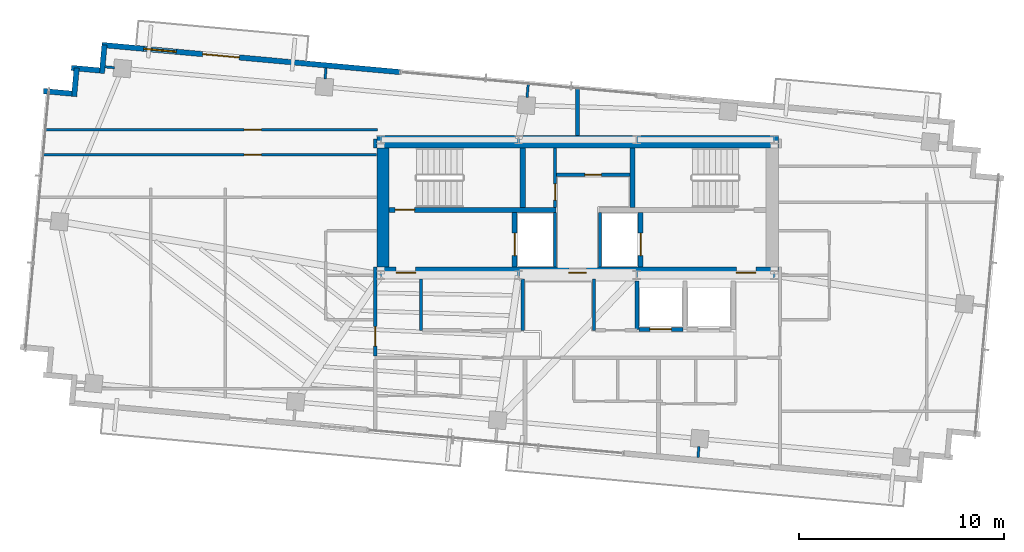
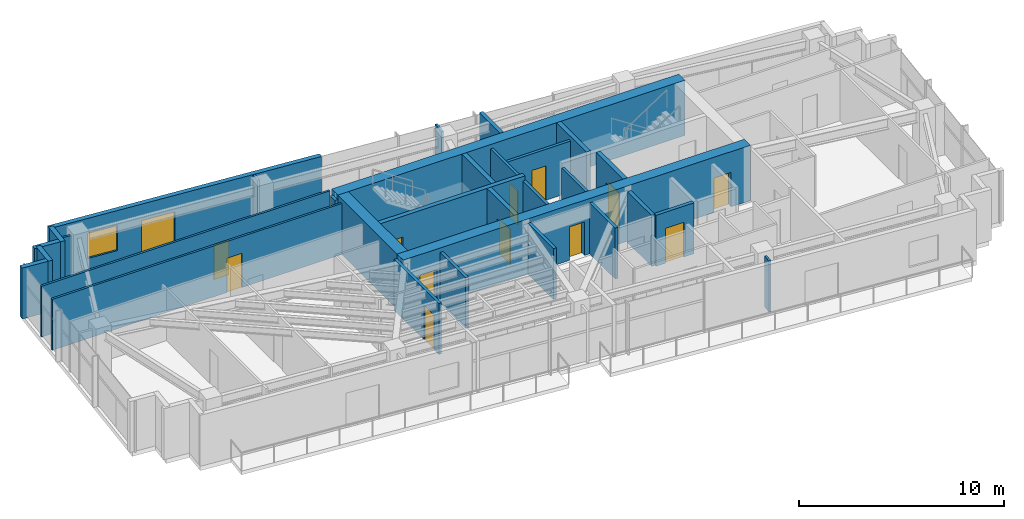
# One storey, part 17 of 22: 31 walls, 13 doors, 1 window, 14 openings.
"""IFC4 building model written with IfcOpenShell, lengths in metres."""

from ifc_helpers import new_model, si_unit, direction, frame, frame_2d, origin, place, context, subcontext, project, spatial, rectangle, extrude, source, transform, mapped, material, layer, layer_set, type_object, type_shapes, element, fill, save


model = new_model("IFC4")

# Units and contexts
model_context = context("Model", 3, precision=1e-05, world=origin(), true_north=direction((0.0, 1.0)))
body_context = subcontext(model_context, "Body", "Model", "MODEL_VIEW")
ifc_project = project(units=[si_unit("LENGTHUNIT", "METRE"), si_unit("AREAUNIT", "SQUARE_METRE"), si_unit("VOLUMEUNIT", "CUBIC_METRE"), si_unit("PLANEANGLEUNIT", "RADIAN"), si_unit("MASSUNIT", "GRAM", prefix="KILO")], contexts=[model_context])

# Site, building, storey
site_placement = place(None, origin())
site = spatial("IfcSite", under=ifc_project, at=site_placement, CompositionType="ELEMENT")
building_placement = place(site_placement, origin())
building = spatial("IfcBuilding", under=site, at=building_placement, Name="Astriad Promenade Condominiums", CompositionType="ELEMENT")
storey_placement = place(building_placement, frame((0.0, 0.0, 239.699951171875)))
storey = spatial("IfcBuildingStorey", under=building, at=storey_placement, Name="L69", CompositionType="ELEMENT", Elevation=239.699951171875)

# Wall, openings, doors
ifc_material_1 = material(Name="Concrete C50/60", Category="concrete")
ifc_layer_1 = layer(ifc_material_1, 0.60009765625)
ifc_layer_set_1 = layer_set([ifc_layer_1], Name="Concrete C50/60")
wall_type_1 = type_object("IfcWallType", Name="CW-SHEAR-600", PredefinedType="SHEAR", material=ifc_layer_set_1)
wall_1_placement = place(storey_placement, frame((26.199951171875, 17.5, 0.0), z_axis=(0.0, 0.0, 1.0), x_axis=(1.0, 0.0, 0.0)))
wall_1 = element("IfcWall", 1, at=wall_1_placement, inside=storey, type_object=wall_type_1, Name="CW-CORE-S-L69", PredefinedType="SHEAR", context=body_context, shape_type="SweptSolid", body=[
    extrude(rectangle(XDim=19.60009765625, YDim=0.60009765625, at=frame_2d((9.800048828125, 0.0))), origin(), (0.0, 0.0, 1.0), 3.300048828125),
])
opening_1_placement = place(wall_1_placement, frame((0.949951171875, 0.0, 0.0)))
opening_1 = element("IfcOpeningElement", 2, at=opening_1_placement, cuts=wall_1, Name="Opening FD90-ST-095", PredefinedType="OPENING", context=body_context, shape_type="SweptSolid", body=[
    extrude(rectangle(XDim=0.949951171875, YDim=2.06005859375, at=frame_2d((0.47509765625, 1.030029296875))), frame((0.0, 0.31005859375, 0.0), z_axis=(0.0, -1.0, 0.0), x_axis=(1.0, 0.0, 0.0)), (0.0, 0.0, 1.0), 0.6201171875),
])
opening_2_placement = place(wall_1_placement, frame((9.3798828125, 0.0, 0.0)))
opening_2 = element("IfcOpeningElement", 3, at=opening_2_placement, cuts=wall_1, Name="Opening FD60-ULOW-085", PredefinedType="OPENING", context=body_context, shape_type="SweptSolid", body=[
    extrude(rectangle(XDim=0.85009765625, YDim=2.0, at=frame_2d((0.425048828125, 1.0))), frame((0.0, 0.31005859375, 0.0), z_axis=(0.0, -1.0, 0.0), x_axis=(1.0, 0.0, 0.0)), (0.0, 0.0, 1.0), 0.6201171875),
])
opening_3_placement = place(wall_1_placement, frame((17.550048828125, 0.0, 0.0)))
opening_3 = element("IfcOpeningElement", 4, at=opening_3_placement, cuts=wall_1, Name="Opening FD90-ST-095", PredefinedType="OPENING", context=body_context, shape_type="SweptSolid", body=[
    extrude(rectangle(XDim=0.949951171875, YDim=2.06005859375, at=frame_2d((0.47509765625, 1.030029296875))), frame((0.0, 0.31005859375, 0.0), z_axis=(0.0, -1.0, 0.0), x_axis=(1.0, 0.0, 0.0)), (0.0, 0.0, 1.0), 0.6201171875),
])
ifc_material_2 = material(Name="Fire-Rated Hollow Metal Stair Door")
door_type_1 = type_object("IfcDoorType", Name="FD90-ST-095", OperationType="NOTDEFINED", PredefinedType="DOOR", material=ifc_material_2)
shared_shape_1 = source(origin(), body_context, "Body", "SweptSolid", [
    extrude(rectangle(XDim=0.949951171875, YDim=2.06005859375, at=frame_2d((0.47509765625, 1.030029296875))), frame((0.0, 0.02490234375, 0.0), z_axis=(0.0, -1.0, 0.0), x_axis=(1.0, 0.0, 0.0)), (0.0, 0.0, 1.0), 0.050048828125),
])
type_shapes(door_type_1, [shared_shape_1])
door_1_placement = place(opening_1_placement, origin())
door_1 = element("IfcDoor", 5, at=door_1_placement, inside=storey, type_object=door_type_1, Name="D-FFW-L69", OperationType="SINGLE_SWING_LEFT", OverallHeight=2.06005859375, OverallWidth=0.949951171875, PredefinedType="DOOR", context=body_context, shape_type="MappedRepresentation", body=[
    mapped(shared_shape_1, transform((0.0, 0.0, 0.0), scale=1.0)),
])
fill(opening_1, door_1)
door_2_placement = place(opening_3_placement, origin())
door_2 = element("IfcDoor", 6, at=door_2_placement, inside=storey, type_object=door_type_1, Name="D-FFE-L69", OperationType="SINGLE_SWING_RIGHT", OverallHeight=2.06005859375, OverallWidth=0.949951171875, PredefinedType="DOOR", context=body_context, shape_type="MappedRepresentation", body=[
    mapped(shared_shape_1, transform((0.0, 0.0, 0.0), scale=1.0)),
])
fill(opening_3, door_2)
ifc_material_3 = material(Name="Solid-Core Low-Headroom Fire Door")
door_type_2 = type_object("IfcDoorType", Name="FD60-ULOW-085", OperationType="NOTDEFINED", PredefinedType="DOOR", material=ifc_material_3)
shared_shape_2 = source(origin(), body_context, "Body", "SweptSolid", [
    extrude(rectangle(XDim=0.85009765625, YDim=2.0, at=frame_2d((0.425048828125, 1.0))), frame((0.0, 0.02490234375, 0.0), z_axis=(0.0, -1.0, 0.0), x_axis=(1.0, 0.0, 0.0)), (0.0, 0.0, 1.0), 0.050048828125),
])
type_shapes(door_type_2, [shared_shape_2])
door_3_placement = place(opening_2_placement, origin())
door_3 = element("IfcDoor", 7, at=door_3_placement, inside=storey, type_object=door_type_2, Name="D-CSL-L69", OperationType="SINGLE_SWING_RIGHT", OverallHeight=2.0, OverallWidth=0.85009765625, PredefinedType="DOOR", context=body_context, shape_type="MappedRepresentation", body=[
    mapped(shared_shape_2, transform((0.0, 0.0, 0.0), scale=1.0)),
])
fill(opening_2, door_3)

# Walls
wall_2_placement = place(storey_placement, frame((26.199951171875, 23.89990234375, 0.0), z_axis=(0.0, 0.0, 1.0), x_axis=(1.0, 0.0, 0.0)))
element("IfcWall", 8, at=wall_2_placement, inside=storey, type_object=wall_type_1, Name="CW-CORE-N-L69", PredefinedType="SHEAR", context=body_context, shape_type="SweptSolid", body=[
    extrude(rectangle(XDim=19.60009765625, YDim=0.60009765625, at=frame_2d((9.800048828125, 0.0))), origin(), (0.0, 0.0, 1.0), 3.300048828125),
])
wall_3_placement = place(storey_placement, frame((26.5, 17.802001953125, 0.0), z_axis=(0.0, 0.0, 1.0), x_axis=(0.0, 1.0, 0.0)))
element("IfcWall", 9, at=wall_3_placement, inside=storey, type_object=wall_type_1, Name="CW-CORE-W-L69", PredefinedType="SHEAR", context=body_context, shape_type="SweptSolid", body=[
    extrude(rectangle(XDim=5.7958984375, YDim=0.60009765625, at=frame_2d((2.89794921875, 0.0))), origin(), (0.0, 0.0, 1.0), 3.300048828125),
])

# Wall, opening, door
ifc_layer_2 = layer(ifc_material_1, 0.25)
ifc_layer_set_2 = layer_set([ifc_layer_2], Name="Concrete C50/60")
wall_type_2 = type_object("IfcWallType", Name="WALL-CORE-INT-250", PredefinedType="SOLIDWALL", material=ifc_layer_set_2)
wall_4_placement = place(storey_placement, frame((26.802001953125, 20.574951171875, 0.0), z_axis=(0.0, 0.0, 1.0), x_axis=(1.0, 0.0, 0.0)))
wall_4 = element("IfcWall", 10, at=wall_4_placement, inside=storey, type_object=wall_type_2, Name="CW-INT-H1-L69", PredefinedType="SOLIDWALL", context=body_context, shape_type="SweptSolid", body=[
    extrude(rectangle(XDim=8.14794921875, YDim=0.25, at=frame_2d((4.073974609375, 0.0))), origin(), (0.0, 0.0, 1.0), 3.300048828125),
])
opening_4_placement = place(wall_4_placement, frame((0.298095703125, 0.0, 0.0)))
opening_4 = element("IfcOpeningElement", 11, at=opening_4_placement, cuts=wall_4, Name="Opening FD90-ST-095", PredefinedType="OPENING", context=body_context, shape_type="SweptSolid", body=[
    extrude(rectangle(XDim=0.949951171875, YDim=2.06005859375, at=frame_2d((0.47509765625, 1.030029296875))), frame((0.0, 0.135009765625, 0.0), z_axis=(0.0, -1.0, 0.0), x_axis=(1.0, 0.0, 0.0)), (0.0, 0.0, 1.0), 0.27001953125),
])
door_4_placement = place(opening_4_placement, origin())
door_4 = element("IfcDoor", 12, at=door_4_placement, inside=storey, type_object=door_type_1, Name="D-ST1-L69", OperationType="SINGLE_SWING_LEFT", OverallHeight=2.06005859375, OverallWidth=0.949951171875, PredefinedType="DOOR", context=body_context, shape_type="MappedRepresentation", body=[
    mapped(shared_shape_1, transform((0.0, 0.0, 0.0), scale=1.0)),
])
fill(opening_4, door_4)

# Walls
for number, where, z_axis, x_axis, name in (
    (13, (33.324951171875, 20.701904296875, 0.0), (0.0, 0.0, 1.0), (0.0, 1.0, 0.0), "CW-ST1-E-L69"),
    (14, (38.675048828125, 20.701904296875, 0.0), (0.0, 0.0, 1.0), (0.0, 1.0, 0.0), "CW-ST2-W-L69"),
):
    element("IfcWall", number, at=place(storey_placement, frame(where, z_axis=z_axis, x_axis=x_axis)), inside=storey, type_object=wall_type_2, Name=name, PredefinedType="SOLIDWALL", context=body_context, shape_type="SweptSolid", body=[
        extrude(rectangle(XDim=2.89599609375, YDim=0.25, at=frame_2d((1.447998046875, 0.0))), origin(), (0.0, 0.0, 1.0), 3.300048828125),
    ])

# Wall, opening, door
wall_5_placement = place(storey_placement, frame((32.925048828125, 17.802001953125, 0.0), z_axis=(0.0, 0.0, 1.0), x_axis=(0.0, 1.0, 0.0)))
wall_5 = element("IfcWall", 15, at=wall_5_placement, inside=storey, type_object=wall_type_2, Name="CW-FFL1-W-L69", PredefinedType="SOLIDWALL", context=body_context, shape_type="SweptSolid", body=[
    extrude(rectangle(XDim=2.64599609375, YDim=0.25, at=frame_2d((1.322998046875, 0.0))), origin(), (0.0, 0.0, 1.0), 3.300048828125),
])
opening_5_placement = place(wall_5_placement, frame((0.548095703125, 0.0, 0.0)))
opening_5 = element("IfcOpeningElement", 16, at=opening_5_placement, cuts=wall_5, Name="Opening LD-FFL-1122", PredefinedType="OPENING", context=body_context, shape_type="SweptSolid", body=[
    extrude(rectangle(XDim=1.10009765625, YDim=2.080078125, at=frame_2d((0.550048828125, 1.0400390625))), frame((0.0, 0.135009765625, 0.0), z_axis=(0.0, -1.0, 0.0), x_axis=(1.0, 0.0, 0.0)), (0.0, 0.0, 1.0), 0.27001953125),
])
ifc_material_4 = material(Name="Brushed Stainless Steel Fire Elevator Landing Door", Category="steel")
door_type_3 = type_object("IfcDoorType", Name="LD-FFL-1122", OperationType="NOTDEFINED", PredefinedType="DOOR", material=ifc_material_4)
shared_shape_3 = source(origin(), body_context, "Body", "SweptSolid", [
    extrude(rectangle(XDim=1.10009765625, YDim=2.080078125, at=frame_2d((0.550048828125, 1.0400390625))), frame((0.0, 0.02490234375, 0.0), z_axis=(0.0, -1.0, 0.0), x_axis=(1.0, 0.0, 0.0)), (0.0, 0.0, 1.0), 0.050048828125),
])
type_shapes(door_type_3, [shared_shape_3])
door_5_placement = place(opening_5_placement, origin())
door_5 = element("IfcDoor", 17, at=door_5_placement, inside=storey, type_object=door_type_3, Name="Elevator Landing Door FFL-1 (L69)", OperationType="SLIDING_TO_LEFT", OverallHeight=2.080078125, OverallWidth=1.10009765625, PredefinedType="DOOR", context=body_context, shape_type="MappedRepresentation", body=[
    mapped(shared_shape_3, transform((0.0, 0.0, 0.0), scale=1.0)),
])
fill(opening_5, door_5)

wall_6_placement = place(storey_placement, frame((39.074951171875, 17.802001953125, 0.0), z_axis=(0.0, 0.0, 1.0), x_axis=(0.0, 1.0, 0.0)))
wall_6 = element("IfcWall", 18, at=wall_6_placement, inside=storey, type_object=wall_type_2, Name="CW-FFL2-E-L69", PredefinedType="SOLIDWALL", context=body_context, shape_type="SweptSolid", body=[
    extrude(rectangle(XDim=2.64599609375, YDim=0.25, at=frame_2d((1.322998046875, 0.0))), origin(), (0.0, 0.0, 1.0), 3.300048828125),
])
opening_6_placement = place(wall_6_placement, frame((0.548095703125, 0.0, 0.0)))
opening_6 = element("IfcOpeningElement", 19, at=opening_6_placement, cuts=wall_6, Name="Opening LD-FFL-1122", PredefinedType="OPENING", context=body_context, shape_type="SweptSolid", body=[
    extrude(rectangle(XDim=1.10009765625, YDim=2.080078125, at=frame_2d((0.550048828125, 1.0400390625))), frame((0.0, 0.135009765625, 0.0), z_axis=(0.0, -1.0, 0.0), x_axis=(1.0, 0.0, 0.0)), (0.0, 0.0, 1.0), 0.27001953125),
])
door_6_placement = place(opening_6_placement, origin())
door_6 = element("IfcDoor", 20, at=door_6_placement, inside=storey, type_object=door_type_3, Name="Elevator Landing Door FFL-2 (L69)", OperationType="SLIDING_TO_RIGHT", OverallHeight=2.080078125, OverallWidth=1.10009765625, PredefinedType="DOOR", context=body_context, shape_type="MappedRepresentation", body=[
    mapped(shared_shape_3, transform((0.0, 0.0, 0.0), scale=1.0)),
])
fill(opening_6, door_6)

# Walls
ifc_material_5 = material(Name="Fire-Rated Gypsum Partition")
ifc_layer_3 = layer(ifc_material_5, 0.159912109375)
ifc_layer_set_3 = layer_set([ifc_layer_3], Name="Fire-Rated Gypsum Partition")
wall_type_3 = type_object("IfcWallType", Name="WALL-CORR-160", PredefinedType="PARTITIONING", material=ifc_layer_set_3)
for number, where, z_axis, x_axis, name in (
    (21, (34.89990234375, 17.802001953125, 0.0), (0.0, 0.0, 1.0), (0.0, 1.0, 0.0), "CW-FFL1-E-L69"),
    (22, (37.10009765625, 17.802001953125, 0.0), (0.0, 0.0, 1.0), (0.0, 1.0, 0.0), "CW-FFL2-W-L69"),
):
    element("IfcWall", number, at=place(storey_placement, frame(where, z_axis=z_axis, x_axis=x_axis)), inside=storey, type_object=wall_type_3, Name=name, PredefinedType="PARTITIONING", context=body_context, shape_type="SweptSolid", body=[
        extrude(rectangle(XDim=2.64599609375, YDim=0.159912109375, at=frame_2d((1.322998046875, 0.0))), origin(), (0.0, 0.0, 1.0), 3.0400390625),
    ])

# Wall, opening, door
wall_7_placement = place(storey_placement, frame((34.89990234375, 20.701904296875, 0.0), z_axis=(0.0, 0.0, 1.0), x_axis=(0.0, 1.0, 0.0)))
wall_7 = element("IfcWall", 23, at=wall_7_placement, inside=storey, type_object=wall_type_3, Name="CW-AUX-W-L69", PredefinedType="PARTITIONING", context=body_context, shape_type="SweptSolid", body=[
    extrude(rectangle(XDim=2.89599609375, YDim=0.159912109375, at=frame_2d((1.447998046875, 0.0))), origin(), (0.0, 0.0, 1.0), 3.0400390625),
])
opening_7_placement = place(wall_7_placement, frame((0.347900390625, 0.0, 0.0)))
opening_7 = element("IfcOpeningElement", 24, at=opening_7_placement, cuts=wall_7, Name="Opening FD60-SV-080", PredefinedType="OPENING", context=body_context, shape_type="SweptSolid", body=[
    extrude(rectangle(XDim=0.800048828125, YDim=2.050048828125, at=frame_2d((0.39990234375, 1.02490234375))), frame((0.0, 0.08984375, 0.0), z_axis=(0.0, -1.0, 0.0), x_axis=(1.0, 0.0, 0.0)), (0.0, 0.0, 1.0), 0.179931640625),
])
ifc_material_6 = material(Name="Fire-Rated Riser Closet Door")
door_type_4 = type_object("IfcDoorType", Name="FD60-SV-080", OperationType="NOTDEFINED", PredefinedType="DOOR", material=ifc_material_6)
shared_shape_4 = source(origin(), body_context, "Body", "SweptSolid", [
    extrude(rectangle(XDim=0.800048828125, YDim=2.050048828125, at=frame_2d((0.39990234375, 1.02490234375))), frame((0.0, 0.02490234375, 0.0), z_axis=(0.0, -1.0, 0.0), x_axis=(1.0, 0.0, 0.0)), (0.0, 0.0, 1.0), 0.050048828125),
])
type_shapes(door_type_4, [shared_shape_4])
door_7_placement = place(opening_7_placement, origin())
door_7 = element("IfcDoor", 25, at=door_7_placement, inside=storey, type_object=door_type_4, Name="D-AUX1-L69", OperationType="SINGLE_SWING_LEFT", OverallHeight=2.050048828125, OverallWidth=0.800048828125, PredefinedType="DOOR", context=body_context, shape_type="MappedRepresentation", body=[
    mapped(shared_shape_4, transform((0.0, 0.0, 0.0), scale=1.0)),
])
fill(opening_7, door_7)

wall_8_placement = place(storey_placement, frame((34.98193359375, 22.300048828125, 0.0), z_axis=(0.0, 0.0, 1.0), x_axis=(1.0, 0.0, 0.0)))
wall_8 = element("IfcWall", 26, at=wall_8_placement, inside=storey, type_object=wall_type_3, Name="CW-AUX-N-L69", PredefinedType="PARTITIONING", context=body_context, shape_type="SweptSolid", body=[
    extrude(rectangle(XDim=3.566162109375, YDim=0.159912109375, at=frame_2d((1.783203125, 0.0))), origin(), (0.0, 0.0, 1.0), 3.0400390625),
])
opening_8_placement = place(wall_8_placement, frame((1.3779296875, 0.0, 0.0)))
opening_8 = element("IfcOpeningElement", 27, at=opening_8_placement, cuts=wall_8, Name="Opening FD60-SV-080", PredefinedType="OPENING", context=body_context, shape_type="SweptSolid", body=[
    extrude(rectangle(XDim=0.800048828125, YDim=2.050048828125, at=frame_2d((0.39990234375, 1.02490234375))), frame((0.0, 0.08984375, 0.0), z_axis=(0.0, -1.0, 0.0), x_axis=(1.0, 0.0, 0.0)), (0.0, 0.0, 1.0), 0.179931640625),
])
door_8_placement = place(opening_8_placement, origin())
door_8 = element("IfcDoor", 28, at=door_8_placement, inside=storey, type_object=door_type_4, Name="D-AUX2-L69", OperationType="SINGLE_SWING_RIGHT", OverallHeight=2.050048828125, OverallWidth=0.800048828125, PredefinedType="DOOR", context=body_context, shape_type="MappedRepresentation", body=[
    mapped(shared_shape_4, transform((0.0, 0.0, 0.0), scale=1.0)),
])
fill(opening_8, door_8)

wall_9_placement = place(storey_placement, frame((26.1201171875, 13.44189453125, 0.0), z_axis=(0.0, 0.0, 1.0), x_axis=(0.0, 1.0, 0.0)))
wall_9 = element("IfcWall", 29, at=wall_9_placement, inside=storey, type_object=wall_type_3, Name="PT-COR-W-L69-S2", PredefinedType="PARTITIONING", context=body_context, shape_type="SweptSolid", body=[
    extrude(rectangle(XDim=4.360107421875, YDim=0.159912109375, at=frame_2d((2.18017578125, 0.0))), origin(), (0.0, 0.0, 1.0), 3.0400390625),
])
opening_9_placement = place(wall_9_placement, frame((0.492919921875, 0.0, 0.0)))
opening_9 = element("IfcOpeningElement", 30, at=opening_9_placement, cuts=wall_9, Name="Opening FD60-APT-095", PredefinedType="OPENING", context=body_context, shape_type="SweptSolid", body=[
    extrude(rectangle(XDim=0.949951171875, YDim=2.06005859375, at=frame_2d((0.47509765625, 1.030029296875))), frame((0.0, 0.08984375, 0.0), z_axis=(0.0, -1.0, 0.0), x_axis=(1.0, 0.0, 0.0)), (0.0, 0.0, 1.0), 0.179931640625),
])
ifc_material_7 = material(Name="Solid-Core Acoustic Timber Residence Entry Door", Category="wood")
door_type_5 = type_object("IfcDoorType", Name="FD60-APT-095", OperationType="NOTDEFINED", PredefinedType="DOOR", material=ifc_material_7)
shared_shape_5 = source(origin(), body_context, "Body", "SweptSolid", [
    extrude(rectangle(XDim=0.949951171875, YDim=2.06005859375, at=frame_2d((0.47509765625, 1.030029296875))), frame((0.0, 0.02490234375, 0.0), z_axis=(0.0, -1.0, 0.0), x_axis=(1.0, 0.0, 0.0)), (0.0, 0.0, 1.0), 0.050048828125),
])
type_shapes(door_type_5, [shared_shape_5])
door_9_placement = place(opening_9_placement, origin())
door_9 = element("IfcDoor", 31, at=door_9_placement, inside=storey, type_object=door_type_5, Name="D-ENT-L69-W1", OperationType="SINGLE_SWING_RIGHT", OverallHeight=2.06005859375, OverallWidth=0.949951171875, PredefinedType="DOOR", context=body_context, shape_type="MappedRepresentation", body=[
    mapped(shared_shape_5, transform((0.0, 0.0, 0.0), scale=1.0)),
])
fill(opening_9, door_9)

# Walls
wall_10_placement = place(storey_placement, frame((26.1201171875, 23.597900390625, 0.0), z_axis=(0.0, 0.0, 1.0), x_axis=(0.0, 1.0, 0.0)))
element("IfcWall", 32, at=wall_10_placement, inside=storey, type_object=wall_type_3, Name="PT-COR-W-L69-S3", PredefinedType="PARTITIONING", context=body_context, shape_type="SweptSolid", body=[
    extrude(rectangle(XDim=0.4521484375, YDim=0.159912109375, at=frame_2d((0.22607421875, 0.0))), origin(), (0.0, 0.0, 1.0), 3.0400390625),
])
for number, where, z_axis, x_axis, name in (
    (33, (28.360107421875, 14.699951171875, 0.0), (0.0, 0.0, 1.0), (0.0, 1.0, 0.0), "PT-Z3REC-W-L69"),
    (34, (33.320068359375, 14.699951171875, 0.0), (0.0, 0.0, 1.0), (0.0, 1.0, 0.0), "PT-Z3REC-E-L69"),
    (35, (36.800048828125, 14.699951171875, 0.0), (0.0, 0.0, 1.0), (0.0, 1.0, 0.0), "PT-Z3R2-W-L69"),
):
    element("IfcWall", number, at=place(storey_placement, frame(where, z_axis=z_axis, x_axis=x_axis)), inside=storey, type_object=wall_type_3, Name=name, PredefinedType="PARTITIONING", context=body_context, shape_type="SweptSolid", body=[
        extrude(rectangle(XDim=2.498046875, YDim=0.159912109375, at=frame_2d((1.2490234375, 0.0))), origin(), (0.0, 0.0, 1.0), 3.0400390625),
    ])
ifc_material_8 = material(Name="Acoustic Double-Stud Gypsum Partition")
ifc_layer_4 = layer(ifc_material_8, 0.199951171875)
ifc_layer_set_4 = layer_set([ifc_layer_4], Name="Acoustic Double-Stud Gypsum Partition")
wall_type_4 = type_object("IfcWallType", Name="WALL-DEMISING-200", PredefinedType="PARTITIONING", material=ifc_layer_set_4)
wall_11_placement = place(storey_placement, frame((36.0, 24.201904296875, 0.0), z_axis=(0.0, 0.0, 1.0), x_axis=(0.0, 1.0, 0.0)))
element("IfcWall", 36, at=wall_11_placement, inside=storey, type_object=wall_type_4, Name="PT-NC-MID-L69", PredefinedType="PARTITIONING", context=body_context, shape_type="SweptSolid", body=[
    extrude(rectangle(XDim=2.36328125, YDim=0.199951171875, at=frame_2d((1.181640625, 0.0))), origin(), (0.0, 0.0, 1.0), 3.0400390625),
])
ifc_material_9 = material(Name="Precast concrete C50/60", Category="concrete")
ifc_layer_5 = layer(ifc_material_9, 0.260009765625)
ifc_layer_set_5 = layer_set([ifc_layer_5], Name="Precast concrete C50/60")
wall_type_5 = type_object("IfcWallType", Name="WALL-EXT-TWR-260", PredefinedType="STANDARD", material=ifc_layer_set_5)
for number, where, z_axis, x_axis, name in (
    (37, (9.93505859375, 26.376708984375, 0.0), (0.0, 0.0, 1.0), (0.995881721538, -0.090661991521, 0.0), "W-SER-L69-04"),
    (38, (11.427001953125, 26.110595703125, 0.0), (0.0, 0.0, 1.0), (0.090835571917, 0.995865904063, 0.0), "W-SER-L69-05"),
):
    element("IfcWall", number, at=place(storey_placement, frame(where, z_axis=z_axis, x_axis=x_axis)), inside=storey, type_object=wall_type_5, Name=name, PredefinedType="STANDARD", context=body_context, shape_type="SweptSolid", body=[
        extrude(rectangle(XDim=1.39501953125, YDim=0.260009765625, at=frame_2d((0.697509765625, 0.0))), origin(), (0.0, 0.0, 1.0), 3.0400390625),
    ])
wall_12_placement = place(storey_placement, frame((11.293212890625, 27.50830078125, 0.0), z_axis=(0.0, 0.0, 1.0), x_axis=(0.995883159782, -0.090646191665, 0.0)))
element("IfcWall", 39, at=wall_12_placement, inside=storey, type_object=wall_type_5, Name="W-SER-L69-06", PredefinedType="STANDARD", context=body_context, shape_type="SweptSolid", body=[
    extrude(rectangle(XDim=1.395263671875, YDim=0.260009765625, at=frame_2d((0.69775390625, 0.0))), origin(), (0.0, 0.0, 1.0), 3.0400390625),
])
wall_13_placement = place(storey_placement, frame((12.785400390625, 27.241943359375, 0.0), z_axis=(0.0, 0.0, 1.0), x_axis=(0.090472632758, 0.995898942023, 0.0)))
element("IfcWall", 40, at=wall_13_placement, inside=storey, type_object=wall_type_5, Name="W-SER-L69-07", PredefinedType="STANDARD", context=body_context, shape_type="SweptSolid", body=[
    extrude(rectangle(XDim=1.39501953125, YDim=0.260009765625, at=frame_2d((0.697509765625, 0.0))), origin(), (0.0, 0.0, 1.0), 3.0400390625),
])

# Wall, openings, door, window
wall_14_placement = place(storey_placement, frame((12.78076171875, 28.628173828125, 0.0), z_axis=(0.0, 0.0, 1.0), x_axis=(0.995884584572, -0.090630536861, 0.0)))
wall_14 = element("IfcWall", 41, at=wall_14_placement, inside=storey, type_object=wall_type_5, Name="W-EXT-L69-N1", PredefinedType="STANDARD", context=body_context, shape_type="SweptSolid", body=[
    extrude(rectangle(XDim=14.630126953125, YDim=0.260009765625, at=frame_2d((7.31494140625, 0.0))), origin(), (0.0, 0.0, 1.0), 3.0400390625),
])
opening_10_placement = place(wall_14_placement, frame((4.93701171875, 0.0, 0.0)))
opening_10 = element("IfcOpeningElement", 42, at=opening_10_placement, cuts=wall_14, Name="Opening BD-1822-SLD", PredefinedType="OPENING", context=body_context, shape_type="SweptSolid", body=[
    extrude(rectangle(XDim=1.800048828125, YDim=2.06005859375, at=frame_2d((0.89990234375, 1.030029296875))), frame((0.0, 0.139892578125, 0.0), z_axis=(0.0, -1.0, 0.0), x_axis=(1.0, 0.0, 0.0)), (0.0, 0.0, 1.0), 0.280029296875),
])
opening_11_placement = place(wall_14_placement, frame((2.050048828125, 0.0, 0.64990234375)))
opening_11 = element("IfcOpeningElement", 43, at=opening_11_placement, cuts=wall_14, Name="Opening WIN-TWR-1620", PredefinedType="OPENING", context=body_context, shape_type="SweptSolid", body=[
    extrude(rectangle(XDim=1.60009765625, YDim=1.5, at=frame_2d((0.800048828125, 0.75))), frame((0.0, 0.139892578125, 0.0), z_axis=(0.0, -1.0, 0.0), x_axis=(1.0, 0.0, 0.0)), (0.0, 0.0, 1.0), 0.280029296875),
])
ifc_material_10 = material(Name="Thermally Broken Aluminium Sliding Balcony Door", Category="aluminium")
door_type_6 = type_object("IfcDoorType", Name="BD-1822-SLD", OperationType="NOTDEFINED", PredefinedType="DOOR", material=ifc_material_10)
shared_shape_6 = source(origin(), body_context, "Body", "SweptSolid", [
    extrude(rectangle(XDim=1.800048828125, YDim=2.06005859375, at=frame_2d((0.89990234375, 1.030029296875))), frame((0.0, 0.02490234375, 0.0), z_axis=(0.0, -1.0, 0.0), x_axis=(1.0, 0.0, 0.0)), (0.0, 0.0, 1.0), 0.050048828125),
])
type_shapes(door_type_6, [shared_shape_6])
door_10_placement = place(opening_10_placement, origin())
door_10 = element("IfcDoor", 44, at=door_10_placement, inside=storey, type_object=door_type_6, Name="BD-L69-NW", OperationType="SLIDING_TO_LEFT", OverallHeight=2.06005859375, OverallWidth=1.800048828125, PredefinedType="DOOR", context=body_context, shape_type="MappedRepresentation", body=[
    mapped(shared_shape_6, transform((0.0, 0.0, 0.0), scale=1.0)),
])
fill(opening_10, door_10)
ifc_material_11 = material(Name="Dark Tinted Triple-Glazed Aluminium Window", Category="aluminium")
window_type = type_object("IfcWindowType", Name="WIN-TWR-1620", PartitioningType="SINGLE_PANEL", PredefinedType="WINDOW", material=ifc_material_11)
shared_shape_7 = source(origin(), body_context, "Body", "SweptSolid", [
    extrude(rectangle(XDim=1.60009765625, YDim=1.5, at=frame_2d((0.800048828125, 0.75))), frame((0.0, 0.030029296875, 0.0), z_axis=(0.0, -1.0, 0.0), x_axis=(1.0, 0.0, 0.0)), (0.0, 0.0, 1.0), 0.06005859375),
])
type_shapes(window_type, [shared_shape_7])
window_placement = place(opening_11_placement, origin())
window = element("IfcWindow", 45, at=window_placement, inside=storey, type_object=window_type, Name="WIN-L69-NW", OverallHeight=1.5, OverallWidth=1.60009765625, PartitioningType="SINGLE_PANEL", PredefinedType="WINDOW", context=body_context, shape_type="MappedRepresentation", body=[
    mapped(shared_shape_7, transform((0.0, 0.0, 0.0), scale=1.0)),
])
fill(opening_11, window)

# Wall, opening, door
ifc_material_12 = material(Name="Acoustic Metal-Stud Gypsum Partition")
ifc_layer_6 = layer(ifc_material_12, 0.1201171875)
ifc_layer_set_6 = layer_set([ifc_layer_6], Name="Acoustic Metal-Stud Gypsum Partition")
wall_type_6 = type_object("IfcWallType", Name="WALL-PART-120", PredefinedType="PARTITIONING", material=ifc_layer_set_6)
wall_15_placement = place(storey_placement, frame((9.974609375, 24.491943359375, 0.0), z_axis=(0.0, 0.0, 1.0), x_axis=(1.0, 0.0, 0.0)))
wall_15 = element("IfcWall", 46, at=wall_15_placement, inside=storey, type_object=wall_type_6, Name="PT-L69-W1-WDN1", PredefinedType="PARTITIONING", context=body_context, shape_type="SweptSolid", body=[
    extrude(rectangle(XDim=16.265380859375, YDim=0.1201171875, at=frame_2d((8.1328125, 0.0))), origin(), (0.0, 0.0, 1.0), 3.0400390625),
])
opening_12_placement = place(wall_15_placement, frame((9.74755859375, 0.0, 0.0)))
opening_12 = element("IfcOpeningElement", 47, at=opening_12_placement, cuts=wall_15, Name="Opening D-INT-085", PredefinedType="OPENING", context=body_context, shape_type="SweptSolid", body=[
    extrude(rectangle(XDim=0.85009765625, YDim=2.050048828125, at=frame_2d((0.425048828125, 1.02490234375))), frame((0.0, 0.070068359375, 0.0), z_axis=(0.0, -1.0, 0.0), x_axis=(1.0, 0.0, 0.0)), (0.0, 0.0, 1.0), 0.14013671875),
])
ifc_material_13 = material(Name="Painted Solid-Core Timber Room Door", Category="wood")
door_type_7 = type_object("IfcDoorType", Name="D-INT-085", OperationType="NOTDEFINED", PredefinedType="DOOR", material=ifc_material_13)
shared_shape_8 = source(origin(), body_context, "Body", "SweptSolid", [
    extrude(rectangle(XDim=0.85009765625, YDim=2.050048828125, at=frame_2d((0.425048828125, 1.02490234375))), frame((0.0, 0.02490234375, 0.0), z_axis=(0.0, -1.0, 0.0), x_axis=(1.0, 0.0, 0.0)), (0.0, 0.0, 1.0), 0.050048828125),
])
type_shapes(door_type_7, [shared_shape_8])
door_11_placement = place(opening_12_placement, origin())
door_11 = element("IfcDoor", 48, at=door_11_placement, inside=storey, type_object=door_type_7, Name="D-WDN1-L69-W1", OperationType="SINGLE_SWING_LEFT", OverallHeight=2.050048828125, OverallWidth=0.85009765625, PredefinedType="DOOR", context=body_context, shape_type="MappedRepresentation", body=[
    mapped(shared_shape_8, transform((0.0, 0.0, 0.0), scale=1.0)),
])
fill(opening_12, door_11)

wall_16_placement = place(storey_placement, frame((9.862548828125, 23.262939453125, 0.0), z_axis=(0.0, 0.0, 1.0), x_axis=(1.0, 0.0, 0.0)))
wall_16 = element("IfcWall", 49, at=wall_16_placement, inside=storey, type_object=wall_type_6, Name="PT-L69-W1-WDN2", PredefinedType="PARTITIONING", context=body_context, shape_type="SweptSolid", body=[
    extrude(rectangle(XDim=16.33544921875, YDim=0.1201171875, at=frame_2d((8.167724609375, 0.0))), origin(), (0.0, 0.0, 1.0), 3.0400390625),
])
opening_13_placement = place(wall_16_placement, frame((9.859375, 0.0, 0.0)))
opening_13 = element("IfcOpeningElement", 50, at=opening_13_placement, cuts=wall_16, Name="Opening D-INT-085", PredefinedType="OPENING", context=body_context, shape_type="SweptSolid", body=[
    extrude(rectangle(XDim=0.85009765625, YDim=2.050048828125, at=frame_2d((0.425048828125, 1.02490234375))), frame((0.0, 0.070068359375, 0.0), z_axis=(0.0, -1.0, 0.0), x_axis=(1.0, 0.0, 0.0)), (0.0, 0.0, 1.0), 0.14013671875),
])
door_12_placement = place(opening_13_placement, origin())
door_12 = element("IfcDoor", 51, at=door_12_placement, inside=storey, type_object=door_type_7, Name="D-WDN2-L69-W1", OperationType="SINGLE_SWING_RIGHT", OverallHeight=2.050048828125, OverallWidth=0.85009765625, PredefinedType="DOOR", context=body_context, shape_type="MappedRepresentation", body=[
    mapped(shared_shape_8, transform((0.0, 0.0, 0.0), scale=1.0)),
])
fill(opening_13, door_12)

# Walls
wall_17_placement = place(storey_placement, frame((41.92529296875, 9.0361328125, 0.0), z_axis=(0.0, 0.0, 1.0), x_axis=(-0.090740281653, -0.995874591144, 0.0)))
element("IfcWall", 52, at=wall_17_placement, inside=storey, type_object=wall_type_6, Name="PT-PIL-L69-PC04-11", PredefinedType="PARTITIONING", context=body_context, shape_type="SweptSolid", body=[
    extrude(rectangle(XDim=0.5380859375, YDim=0.1201171875, at=frame_2d((0.26904296875, 0.0))), origin(), (0.0, 0.0, 1.0), 3.0400390625),
])
wall_18_placement = place(storey_placement, frame((13.40283203125, 27.51708984375, 0.0), z_axis=(0.0, 0.0, 1.0), x_axis=(-0.995884462012, 0.090631883588, 0.0)))
element("IfcWall", 53, at=wall_18_placement, inside=storey, type_object=wall_type_6, Name="PT-PIL-L69-PC06-13", PredefinedType="PARTITIONING", context=body_context, shape_type="SweptSolid", body=[
    extrude(rectangle(XDim=0.4580078125, YDim=0.1201171875, at=frame_2d((0.22900390625, 0.0))), origin(), (0.0, 0.0, 1.0), 3.0400390625),
])
wall_19_placement = place(storey_placement, frame((23.6748046875, 26.9638671875, 0.0), z_axis=(0.0, 0.0, 1.0), x_axis=(0.090740281653, 0.995874591144, 0.0)))
element("IfcWall", 54, at=wall_19_placement, inside=storey, type_object=wall_type_6, Name="PT-PIL-L69-PC07-14", PredefinedType="PARTITIONING", context=body_context, shape_type="SweptSolid", body=[
    extrude(rectangle(XDim=0.5380859375, YDim=0.1201171875, at=frame_2d((0.26904296875, 0.0))), origin(), (0.0, 0.0, 1.0), 3.0400390625),
])
wall_20_placement = place(storey_placement, frame((33.5341796875, 26.066650390625, 0.0), z_axis=(0.0, 0.0, 1.0), x_axis=(0.090535746043, 0.995893206468, 0.0)))
element("IfcWall", 55, at=wall_20_placement, inside=storey, type_object=wall_type_6, Name="PT-PIL-L69-PC08-15", PredefinedType="PARTITIONING", context=body_context, shape_type="SweptSolid", body=[
    extrude(rectangle(XDim=0.719970703125, YDim=0.1201171875, at=frame_2d((0.35986328125, 0.0))), origin(), (0.0, 0.0, 1.0), 3.0400390625),
])
ifc_material_14 = material(Name="Gypsum Shaftliner Assembly")
ifc_layer_7 = layer(ifc_material_14, 0.199951171875)
ifc_layer_set_7 = layer_set([ifc_layer_7], Name="Gypsum Shaftliner Assembly")
wall_type_7 = type_object("IfcWallType", Name="WALL-SHAFT-200", PredefinedType="PARTITIONING", material=ifc_layer_set_7)
wall_21_placement = place(storey_placement, frame((38.89990234375, 14.75, 0.0), z_axis=(0.0, 0.0, 1.0), x_axis=(0.0, 1.0, 0.0)))
element("IfcWall", 56, at=wall_21_placement, inside=storey, type_object=wall_type_7, Name="PL-MH-DIV-L69", PredefinedType="PARTITIONING", context=body_context, shape_type="SweptSolid", body=[
    extrude(rectangle(XDim=2.35009765625, YDim=0.199951171875, at=frame_2d((1.175048828125, 0.0))), origin(), (0.0, 0.0, 1.0), 3.0400390625),
])

# Wall, opening, door
wall_22_placement = place(storey_placement, frame((39.001953125, 14.75, 0.0), z_axis=(0.0, 0.0, 1.0), x_axis=(1.0, 0.0, 0.0)))
wall_22 = element("IfcWall", 57, at=wall_22_placement, inside=storey, type_object=wall_type_7, Name="PL-H-FRT-L69", PredefinedType="PARTITIONING", context=body_context, shape_type="SweptSolid", body=[
    extrude(rectangle(XDim=2.14599609375, YDim=0.199951171875, at=frame_2d((1.072998046875, 0.0))), origin(), (0.0, 0.0, 1.0), 3.0400390625),
])
opening_14_placement = place(wall_22_placement, frame((0.52294921875, 0.0, 0.0)))
opening_14 = element("IfcOpeningElement", 58, at=opening_14_placement, cuts=wall_22, Name="Opening LD-PL-10522", PredefinedType="OPENING", context=body_context, shape_type="SweptSolid", body=[
    extrude(rectangle(XDim=1.050048828125, YDim=2.080078125, at=frame_2d((0.52490234375, 1.0400390625))), frame((0.0, 0.10986328125, 0.0), z_axis=(0.0, -1.0, 0.0), x_axis=(1.0, 0.0, 0.0)), (0.0, 0.0, 1.0), 0.219970703125),
])
ifc_material_15 = material(Name="Brushed Bronze Passenger Elevator Landing Door")
door_type_8 = type_object("IfcDoorType", Name="LD-PL-10522", OperationType="NOTDEFINED", PredefinedType="DOOR", material=ifc_material_15)
shared_shape_9 = source(origin(), body_context, "Body", "SweptSolid", [
    extrude(rectangle(XDim=1.050048828125, YDim=2.080078125, at=frame_2d((0.52490234375, 1.0400390625))), frame((0.0, 0.02490234375, 0.0), z_axis=(0.0, -1.0, 0.0), x_axis=(1.0, 0.0, 0.0)), (0.0, 0.0, 1.0), 0.050048828125),
])
type_shapes(door_type_8, [shared_shape_9])
door_13_placement = place(opening_14_placement, origin())
door_13 = element("IfcDoor", 59, at=door_13_placement, inside=storey, type_object=door_type_8, Name="Elevator Landing Door PL-H1 (L69)", OperationType="SLIDING_TO_LEFT", OverallHeight=2.080078125, OverallWidth=1.050048828125, PredefinedType="DOOR", context=body_context, shape_type="MappedRepresentation", body=[
    mapped(shared_shape_9, transform((0.0, 0.0, 0.0), scale=1.0)),
])
fill(opening_14, door_13)

save(model, "model.ifc")
